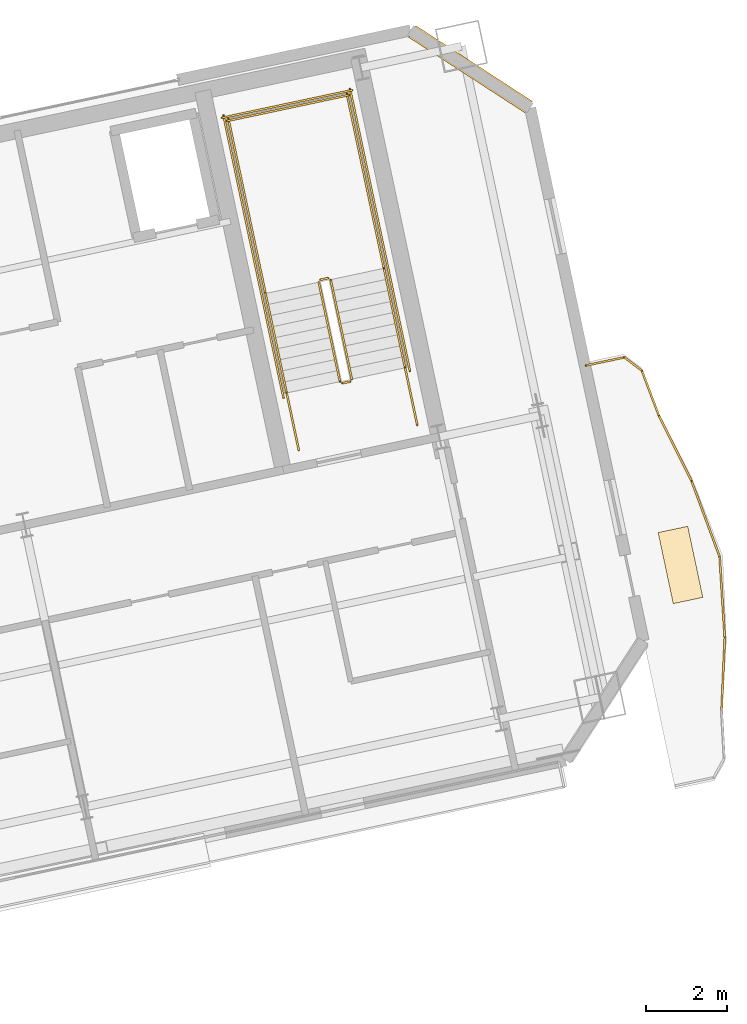
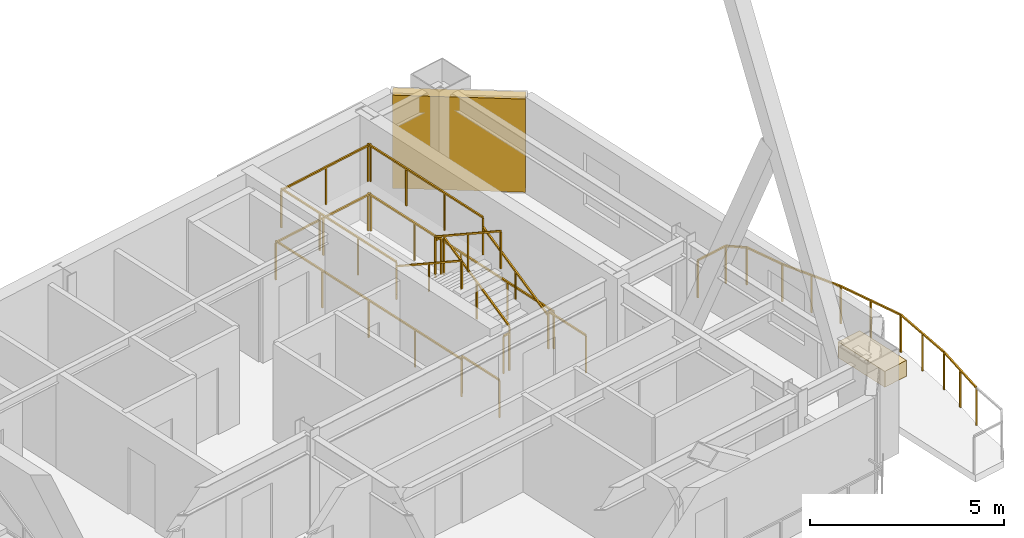
# One storey, part 19 of 19: 21 railings, 1 covering, 1 shading device.
"""IFC4 building model written with IfcOpenShell, lengths in metres."""

from ifc_helpers import new_model, si_unit, direction, frame, origin, origin_2d, place, context, subcontext, project, spatial, rectangle, extrude, material, layer, layer_set, type_object, element, save


model = new_model("IFC4")

# Units and contexts
model_context = context("Model", 3, precision=1e-05, world=origin(), true_north=direction((0.0, 1.0)))
body_context = subcontext(model_context, "Body", "Model", "MODEL_VIEW")
ifc_project = project(units=[si_unit("LENGTHUNIT", "METRE"), si_unit("AREAUNIT", "SQUARE_METRE"), si_unit("VOLUMEUNIT", "CUBIC_METRE"), si_unit("PLANEANGLEUNIT", "RADIAN"), si_unit("MASSUNIT", "GRAM", prefix="KILO")], contexts=[model_context])

# Site, building, storey
site_placement = place(None, origin())
site = spatial("IfcSite", under=ifc_project, at=site_placement, CompositionType="ELEMENT")
building_placement = place(site_placement, origin())
building = spatial("IfcBuilding", under=site, at=building_placement, Name="Haevon Station Towers", CompositionType="ELEMENT")
storey_placement = place(building_placement, frame((0.0, 0.0, 218.699951171875)))
storey = spatial("IfcBuildingStorey", under=building, at=storey_placement, Name="L60", CompositionType="ELEMENT", Elevation=218.699951171875)

# Railings
ifc_material_1 = material(Name="Steel S355", Category="steel")
railing_type_1 = type_object("IfcRailingType", Name="GRD-EXT1200", PredefinedType="GUARDRAIL", material=ifc_material_1)
railing_1_placement = place(storey_placement, frame((126.287841796875, 35.031005859375, 0.0)))
element("IfcRailing", 1, at=railing_1_placement, inside=storey, type_object=railing_type_1, Name="L60 Perimeter Guardrail 4", PredefinedType="GUARDRAIL", context=body_context, shape_type="SweptSolid", body=[
    extrude(rectangle(XDim=0.048095703125, YDim=0.048095703125, at=origin_2d()), frame((0.0, 0.0, 1.17578125), z_axis=(0.044352629621, 0.999015937934, 0.0), x_axis=(-0.999015937934, 0.044352629621, 0.0)), (0.0, 0.0, 1.0), 1.805419921875),
    extrude(rectangle(XDim=0.0419921875, YDim=0.0419921875, at=origin_2d()), origin(), (0.0, 0.0, 1.0), 1.15185546875),
    extrude(rectangle(XDim=0.0419921875, YDim=0.0419921875, at=origin_2d()), frame((0.0400390625, 0.90185546875, 0.0)), (0.0, 0.0, 1.0), 1.15185546875),
    extrude(rectangle(XDim=0.0419921875, YDim=0.0419921875, at=origin_2d()), frame((0.080078125, 1.8037109375, 0.0)), (0.0, 0.0, 1.0), 1.15185546875),
])
railing_2_placement = place(storey_placement, frame((126.367919921875, 36.834716796875, 0.0)))
element("IfcRailing", 2, at=railing_2_placement, inside=storey, type_object=railing_type_1, Name="L60 Perimeter Guardrail 5", PredefinedType="GUARDRAIL", context=body_context, shape_type="SweptSolid", body=[
    extrude(rectangle(XDim=0.048095703125, YDim=0.048095703125, at=origin_2d()), frame((0.0, 0.0, 1.17578125), z_axis=(-0.063329948966, 0.997992644043, 0.0), x_axis=(-0.997992644043, -0.063329948966, 0.0)), (0.0, 0.0, 1.0), 2.012451171875),
    extrude(rectangle(XDim=0.0419921875, YDim=0.0419921875, at=origin_2d()), origin(), (0.0, 0.0, 1.0), 1.15185546875),
    extrude(rectangle(XDim=0.0419921875, YDim=0.0419921875, at=origin_2d()), frame((-0.063720703125, 1.004150390625, 0.0)), (0.0, 0.0, 1.0), 1.15185546875),
    extrude(rectangle(XDim=0.0419921875, YDim=0.0419921875, at=origin_2d()), frame((-0.12744140625, 2.00830078125, 0.0)), (0.0, 0.0, 1.0), 1.15185546875),
])
railing_3_placement = place(storey_placement, frame((126.240478515625, 38.843017578125, 0.0)))
element("IfcRailing", 3, at=railing_3_placement, inside=storey, type_object=railing_type_1, Name="L60 Perimeter Guardrail 6", PredefinedType="GUARDRAIL", context=body_context, shape_type="SweptSolid", body=[
    extrude(rectangle(XDim=0.048095703125, YDim=0.048095703125, at=origin_2d()), frame((0.0, 0.0, 1.17578125), z_axis=(-0.348037281298, 0.937480693576, 0.0), x_axis=(-0.937480693576, -0.348037281298, 0.0)), (0.0, 0.0, 1.0), 2.012451171875),
    extrude(rectangle(XDim=0.0419921875, YDim=0.0419921875, at=origin_2d()), origin(), (0.0, 0.0, 1.0), 1.15185546875),
    extrude(rectangle(XDim=0.0419921875, YDim=0.0419921875, at=origin_2d()), frame((-0.35009765625, 0.943359375, 0.0)), (0.0, 0.0, 1.0), 1.15185546875),
    extrude(rectangle(XDim=0.0419921875, YDim=0.0419921875, at=origin_2d()), frame((-0.700439453125, 1.88671875, 0.0)), (0.0, 0.0, 1.0), 1.15185546875),
])
railing_4_placement = place(storey_placement, frame((125.5400390625, 40.729736328125, 0.0)))
element("IfcRailing", 4, at=railing_4_placement, inside=storey, type_object=railing_type_1, Name="L60 Perimeter Guardrail 7", PredefinedType="GUARDRAIL", context=body_context, shape_type="SweptSolid", body=[
    extrude(rectangle(XDim=0.048095703125, YDim=0.048095703125, at=origin_2d()), frame((0.0, 0.0, 1.17578125), z_axis=(-0.446943110236, 0.894562382516, 0.0), x_axis=(-0.894562382516, -0.446943110236, 0.0)), (0.0, 0.0, 1.0), 1.805419921875),
    extrude(rectangle(XDim=0.0419921875, YDim=0.0419921875, at=origin_2d()), origin(), (0.0, 0.0, 1.0), 1.15185546875),
    extrude(rectangle(XDim=0.0419921875, YDim=0.0419921875, at=origin_2d()), frame((-0.4033203125, 0.8076171875, 0.0)), (0.0, 0.0, 1.0), 1.15185546875),
    extrude(rectangle(XDim=0.0419921875, YDim=0.0419921875, at=origin_2d()), frame((-0.806884765625, 1.614990234375, 0.0)), (0.0, 0.0, 1.0), 1.15185546875),
])
railing_5_placement = place(storey_placement, frame((124.733154296875, 42.3447265625, 0.0)))
element("IfcRailing", 5, at=railing_5_placement, inside=storey, type_object=railing_type_1, Name="L60 Perimeter Guardrail 8", PredefinedType="GUARDRAIL", context=body_context, shape_type="SweptSolid", body=[
    extrude(rectangle(XDim=0.048095703125, YDim=0.048095703125, at=origin_2d()), frame((0.0, 0.0, 1.17578125), z_axis=(-0.354374563569, 0.935103560412, 0.0), x_axis=(-0.935103560412, -0.354374563569, 0.0)), (0.0, 0.0, 1.0), 1.184326171875),
    extrude(rectangle(XDim=0.0419921875, YDim=0.0419921875, at=origin_2d()), origin(), (0.0, 0.0, 1.0), 1.15185546875),
    extrude(rectangle(XDim=0.0419921875, YDim=0.0419921875, at=origin_2d()), frame((-0.419677734375, 1.107421875, 0.0)), (0.0, 0.0, 1.0), 1.15185546875),
])
railing_6_placement = place(storey_placement, frame((124.3134765625, 43.4521484375, 0.0)))
element("IfcRailing", 6, at=railing_6_placement, inside=storey, type_object=railing_type_1, Name="L60 Perimeter Guardrail 9", PredefinedType="GUARDRAIL", context=body_context, shape_type="SweptSolid", body=[
    extrude(rectangle(XDim=0.048095703125, YDim=0.048095703125, at=origin_2d()), frame((0.0, 0.0, 1.17578125), z_axis=(-0.795823981278, 0.605528026456, 0.0), x_axis=(-0.605528026456, -0.795823981278, 0.0)), (0.0, 0.0, 1.0), 0.542724609375),
    extrude(rectangle(XDim=0.0419921875, YDim=0.0419921875, at=origin_2d()), origin(), (0.0, 0.0, 1.0), 1.15185546875),
    extrude(rectangle(XDim=0.0419921875, YDim=0.0419921875, at=origin_2d()), frame((-0.431884765625, 0.32861328125, 0.0)), (0.0, 0.0, 1.0), 1.15185546875),
])
railing_7_placement = place(storey_placement, frame((123.881591796875, 43.78076171875, 0.0)))
element("IfcRailing", 7, at=railing_7_placement, inside=storey, type_object=railing_type_1, Name="L60 Perimeter Guardrail 10", PredefinedType="GUARDRAIL", context=body_context, shape_type="SweptSolid", body=[
    extrude(rectangle(XDim=0.048095703125, YDim=0.048095703125, at=origin_2d()), frame((0.0, 0.0, 1.17578125), z_axis=(-0.978565730841, -0.205934723695, 0.0), x_axis=(0.205934723695, -0.978565730841, 0.0)), (0.0, 0.0, 1.0), 0.974609375),
    extrude(rectangle(XDim=0.0419921875, YDim=0.0419921875, at=origin_2d()), origin(), (0.0, 0.0, 1.0), 1.15185546875),
    extrude(rectangle(XDim=0.0419921875, YDim=0.0419921875, at=origin_2d()), frame((-0.95361328125, -0.20068359375, 0.0)), (0.0, 0.0, 1.0), 1.15185546875),
])
railing_type_2 = type_object("IfcRailingType", Name="GRD-STR1200", PredefinedType="GUARDRAIL", material=ifc_material_1)
railing_8_placement = place(storey_placement, frame((117.128662109375, 43.23974609375, 0.1650390625)))
element("IfcRailing", 8, at=railing_8_placement, inside=storey, type_object=railing_type_2, Name="L60 ST4 Stair Guard 1", PredefinedType="GUARDRAIL", context=body_context, shape_type="SweptSolid", body=[
    extrude(rectangle(XDim=0.048095703125, YDim=0.048095703125, at=origin_2d()), frame((0.0, 0.0, 1.17578125), z_axis=(-0.179121265225, 0.842687928106, 0.507732831485), x_axis=(-0.978147030254, -0.207914374695, 0.0)), (0.0, 0.0, 1.0), 2.925048828125),
    extrude(rectangle(XDim=0.0419921875, YDim=0.0419921875, at=origin_2d()), origin(), (0.0, 0.0, 1.0), 1.15185546875),
    extrude(rectangle(XDim=0.0419921875, YDim=0.0419921875, at=origin_2d()), frame((-0.261962890625, 1.232421875, 0.74267578125)), (0.0, 0.0, 1.0), 1.15185546875),
    extrude(rectangle(XDim=0.0419921875, YDim=0.0419921875, at=origin_2d()), frame((-0.52392578125, 2.46484375, 1.485107421875)), (0.0, 0.0, 1.0), 1.15185546875),
])
railing_9_placement = place(storey_placement, frame((116.54541015625, 45.7431640625, 1.650146484375)))
element("IfcRailing", 9, at=railing_9_placement, inside=storey, type_object=railing_type_2, Name="L60 ST4 Stair Guard 2", PredefinedType="GUARDRAIL", context=body_context, shape_type="SweptSolid", body=[
    extrude(rectangle(XDim=0.048095703125, YDim=0.048095703125, at=origin_2d()), frame((0.0, 0.0, 1.17578125), z_axis=(-0.97826412705, -0.207362720198, 0.0), x_axis=(0.207362720198, -0.97826412705, 0.0)), (0.0, 0.0, 1.0), 0.2001953125),
    extrude(rectangle(XDim=0.0419921875, YDim=0.0419921875, at=origin_2d()), origin(), (0.0, 0.0, 1.0), 1.15185546875),
    extrude(rectangle(XDim=0.0419921875, YDim=0.0419921875, at=origin_2d()), frame((-0.19580078125, -0.04150390625, 0.0)), (0.0, 0.0, 1.0), 1.15185546875),
])
railing_10_placement = place(storey_placement, frame((117.925048828125, 45.9853515625, 1.650146484375)))
element("IfcRailing", 10, at=railing_10_placement, inside=storey, type_object=railing_type_2, Name="L60 ST4 Stair Guard 3", PredefinedType="GUARDRAIL", context=body_context, shape_type="SweptSolid", body=[
    extrude(rectangle(XDim=0.048095703125, YDim=0.048095703125, at=origin_2d()), frame((0.0, 0.0, 1.17578125), z_axis=(-0.207876551949, 0.978155069071, 0.0), x_axis=(-0.978155069071, -0.207876551949, 0.0)), (0.0, 0.0, 1.0), 4.429931640625),
    extrude(rectangle(XDim=0.0419921875, YDim=0.0419921875, at=origin_2d()), origin(), (0.0, 0.0, 1.0), 1.15185546875),
    extrude(rectangle(XDim=0.0419921875, YDim=0.0419921875, at=origin_2d()), frame((-0.306884765625, 1.4443359375, 0.0)), (0.0, 0.0, 1.0), 1.15185546875),
    extrude(rectangle(XDim=0.0419921875, YDim=0.0419921875, at=origin_2d()), frame((-0.614013671875, 2.888916015625, 0.0)), (0.0, 0.0, 1.0), 1.15185546875),
    extrude(rectangle(XDim=0.0419921875, YDim=0.0419921875, at=origin_2d()), frame((-0.9208984375, 4.333251953125, 0.0)), (0.0, 0.0, 1.0), 1.15185546875),
])
railing_11_placement = place(storey_placement, frame((114.99072265625, 45.361572265625, 1.650146484375)))
element("IfcRailing", 11, at=railing_11_placement, inside=storey, type_object=railing_type_2, Name="L60 ST4 Stair Guard 4", PredefinedType="GUARDRAIL", context=body_context, shape_type="SweptSolid", body=[
    extrude(rectangle(XDim=0.048095703125, YDim=0.048095703125, at=origin_2d()), frame((0.0, 0.0, 1.17578125), z_axis=(-0.207929280007, 0.978143861871, 0.0), x_axis=(-0.978143861871, -0.207929280007, 0.0)), (0.0, 0.0, 1.0), 4.43017578125),
    extrude(rectangle(XDim=0.0419921875, YDim=0.0419921875, at=origin_2d()), origin(), (0.0, 0.0, 1.0), 1.15185546875),
    extrude(rectangle(XDim=0.0419921875, YDim=0.0419921875, at=origin_2d()), frame((-0.30712890625, 1.4443359375, 0.0)), (0.0, 0.0, 1.0), 1.15185546875),
    extrude(rectangle(XDim=0.0419921875, YDim=0.0419921875, at=origin_2d()), frame((-0.614013671875, 2.888916015625, 0.0)), (0.0, 0.0, 1.0), 1.15185546875),
    extrude(rectangle(XDim=0.0419921875, YDim=0.0419921875, at=origin_2d()), frame((-0.921142578125, 4.333251953125, 0.0)), (0.0, 0.0, 1.0), 1.15185546875),
])
railing_12_placement = place(storey_placement, frame((117.0634765625, 50.280029296875, 1.650146484375)))
element("IfcRailing", 12, at=railing_12_placement, inside=storey, type_object=railing_type_2, Name="L60 ST4 Stair Guard 5", PredefinedType="GUARDRAIL", context=body_context, shape_type="SweptSolid", body=[
    extrude(rectangle(XDim=0.048095703125, YDim=0.048095703125, at=origin_2d()), frame((0.0, 0.0, 1.17578125), z_axis=(-0.978146839882, -0.207915270313, 0.0), x_axis=(0.207915270313, -0.978146839882, 0.0)), (0.0, 0.0, 1.0), 3.099853515625),
    extrude(rectangle(XDim=0.0419921875, YDim=0.0419921875, at=origin_2d()), origin(), (0.0, 0.0, 1.0), 1.15185546875),
    extrude(rectangle(XDim=0.0419921875, YDim=0.0419921875, at=origin_2d()), frame((-1.51611328125, -0.322265625, 0.0)), (0.0, 0.0, 1.0), 1.15185546875),
    extrude(rectangle(XDim=0.0419921875, YDim=0.0419921875, at=origin_2d()), frame((-3.0322265625, -0.64453125, 0.0)), (0.0, 0.0, 1.0), 1.15185546875),
])
railing_13_placement = place(storey_placement, frame((116.311279296875, 45.642333984375, 1.81494140625)))
element("IfcRailing", 13, at=railing_13_placement, inside=storey, type_object=railing_type_2, Name="L60 ST4 Stair Guard 6", PredefinedType="GUARDRAIL", context=body_context, shape_type="SweptSolid", body=[
    extrude(rectangle(XDim=0.048095703125, YDim=0.048095703125, at=origin_2d()), frame((0.0, 0.0, 1.17578125), z_axis=(0.179108667068, -0.842712120868, 0.50769712105), x_axis=(0.978151217824, 0.207894673017, 0.0)), (0.0, 0.0, 1.0), 2.92529296875),
    extrude(rectangle(XDim=0.0419921875, YDim=0.0419921875, at=origin_2d()), origin(), (0.0, 0.0, 1.0), 1.15185546875),
    extrude(rectangle(XDim=0.0419921875, YDim=0.0419921875, at=origin_2d()), frame((0.261962890625, -1.232421875, 0.74267578125)), (0.0, 0.0, 1.0), 1.15185546875),
    extrude(rectangle(XDim=0.0419921875, YDim=0.0419921875, at=origin_2d()), frame((0.52392578125, -2.465087890625, 1.485107421875)), (0.0, 0.0, 1.0), 1.15185546875),
])
railing_14_placement = place(storey_placement, frame((117.090087890625, 43.180419921875, 0.0)))
element("IfcRailing", 14, at=railing_14_placement, inside=storey, type_object=railing_type_2, Name="L60 ST4 Stair Guard 7", PredefinedType="GUARDRAIL", context=body_context, shape_type="SweptSolid", body=[
    extrude(rectangle(XDim=0.048095703125, YDim=0.048095703125, at=origin_2d()), frame((0.0, 0.0, 1.17578125), z_axis=(-0.978211583308, -0.207610448392, 0.0), x_axis=(0.207610448392, -0.978211583308, 0.0)), (0.0, 0.0, 1.0), 0.199951171875),
    extrude(rectangle(XDim=0.0419921875, YDim=0.0419921875, at=origin_2d()), origin(), (0.0, 0.0, 1.0), 1.15185546875),
    extrude(rectangle(XDim=0.0419921875, YDim=0.0419921875, at=origin_2d()), frame((-0.195556640625, -0.04150390625, 0.0)), (0.0, 0.0, 1.0), 1.15185546875),
])
for number, where, name in (
    (15, (118.75048828125, 42.10205078125, 0.0), "L60 ST4 Stair Guard 8"),
    (16, (115.816162109375, 41.478271484375, 0.0), "L60 ST4 Stair Guard 9"),
):
    element("IfcRailing", number, at=place(storey_placement, frame(where)), inside=storey, type_object=railing_type_2, Name=name, PredefinedType="GUARDRAIL", context=body_context, shape_type="SweptSolid", body=[
        extrude(rectangle(XDim=0.048095703125, YDim=0.048095703125, at=origin_2d()), frame((0.0, 0.0, 1.17578125), z_axis=(-0.207919161079, 0.978146012851, 0.0), x_axis=(-0.978146012851, -0.207919161079, 0.0)), (0.0, 0.0, 1.0), 1.4501953125),
        extrude(rectangle(XDim=0.0419921875, YDim=0.0419921875, at=origin_2d()), origin(), (0.0, 0.0, 1.0), 1.15185546875),
        extrude(rectangle(XDim=0.0419921875, YDim=0.0419921875, at=origin_2d()), frame((-0.301513671875, 1.41845703125, 0.0)), (0.0, 0.0, 1.0), 1.15185546875),
    ])
railing_15_placement = place(storey_placement, frame((118.567626953125, 43.443359375, 0.0)))
element("IfcRailing", 17, at=railing_15_placement, inside=storey, type_object=railing_type_2, Name="L60 ST4 Stair Guard 10", PredefinedType="GUARDRAIL", context=body_context, shape_type="SweptSolid", body=[
    extrude(rectangle(XDim=0.048095703125, YDim=0.048095703125, at=origin_2d()), frame((0.0, 0.0, 1.17578125), z_axis=(-0.207908168386, 0.978148349443, 0.0), x_axis=(-0.978148349443, -0.207908168386, 0.0)), (0.0, 0.0, 1.0), 7.150146484375),
    extrude(rectangle(XDim=0.0419921875, YDim=0.0419921875, at=origin_2d()), origin(), (0.0, 0.0, 1.0), 1.15185546875),
    extrude(rectangle(XDim=0.0419921875, YDim=0.0419921875, at=origin_2d()), frame((-0.37158203125, 1.74853515625, 0.0)), (0.0, 0.0, 1.0), 1.15185546875),
    extrude(rectangle(XDim=0.0419921875, YDim=0.0419921875, at=origin_2d()), frame((-0.7431640625, 3.4970703125, 0.0)), (0.0, 0.0, 1.0), 1.15185546875),
    extrude(rectangle(XDim=0.0419921875, YDim=0.0419921875, at=origin_2d()), frame((-1.114990234375, 5.245361328125, 0.0)), (0.0, 0.0, 1.0), 1.15185546875),
    extrude(rectangle(XDim=0.0419921875, YDim=0.0419921875, at=origin_2d()), frame((-1.486572265625, 6.993896484375, 0.0)), (0.0, 0.0, 1.0), 1.15185546875),
])
railing_16_placement = place(storey_placement, frame((115.4375, 42.778076171875, 0.0)))
element("IfcRailing", 18, at=railing_16_placement, inside=storey, type_object=railing_type_2, Name="L60 ST4 Stair Guard 11", PredefinedType="GUARDRAIL", context=body_context, shape_type="SweptSolid", body=[
    extrude(rectangle(XDim=0.048095703125, YDim=0.048095703125, at=origin_2d()), frame((0.0, 0.0, 1.17578125), z_axis=(-0.207882442208, 0.978153817261, 0.0), x_axis=(-0.978153817261, -0.207882442208, 0.0)), (0.0, 0.0, 1.0), 7.14990234375),
    extrude(rectangle(XDim=0.0419921875, YDim=0.0419921875, at=origin_2d()), origin(), (0.0, 0.0, 1.0), 1.15185546875),
    extrude(rectangle(XDim=0.0419921875, YDim=0.0419921875, at=origin_2d()), frame((-0.37158203125, 1.74853515625, 0.0)), (0.0, 0.0, 1.0), 1.15185546875),
    extrude(rectangle(XDim=0.0419921875, YDim=0.0419921875, at=origin_2d()), frame((-0.7431640625, 3.496826171875, 0.0)), (0.0, 0.0, 1.0), 1.15185546875),
    extrude(rectangle(XDim=0.0419921875, YDim=0.0419921875, at=origin_2d()), frame((-1.11474609375, 5.2451171875, 0.0)), (0.0, 0.0, 1.0), 1.15185546875),
    extrude(rectangle(XDim=0.0419921875, YDim=0.0419921875, at=origin_2d()), frame((-1.486328125, 6.99365234375, 0.0)), (0.0, 0.0, 1.0), 1.15185546875),
])
railing_17_placement = place(storey_placement, frame((117.140380859375, 50.398681640625, 0.0)))
element("IfcRailing", 19, at=railing_17_placement, inside=storey, type_object=railing_type_2, Name="L60 ST4 Stair Guard 12", PredefinedType="GUARDRAIL", context=body_context, shape_type="SweptSolid", body=[
    extrude(rectangle(XDim=0.048095703125, YDim=0.048095703125, at=origin_2d()), frame((0.0, 0.0, 1.17578125), z_axis=(-0.978135717418, -0.207967589567, 0.0), x_axis=(0.207967589567, -0.978135717418, 0.0)), (0.0, 0.0, 1.0), 3.300048828125),
    extrude(rectangle(XDim=0.0419921875, YDim=0.0419921875, at=origin_2d()), origin(), (0.0, 0.0, 1.0), 1.15185546875),
    extrude(rectangle(XDim=0.0419921875, YDim=0.0419921875, at=origin_2d()), frame((-1.61376953125, -0.34326171875, 0.0)), (0.0, 0.0, 1.0), 1.15185546875),
    extrude(rectangle(XDim=0.0419921875, YDim=0.0419921875, at=origin_2d()), frame((-3.227783203125, -0.686279296875, 0.0)), (0.0, 0.0, 1.0), 1.15185546875),
])
railing_type_3 = type_object("IfcRailingType", Name="HND-STR900", PredefinedType="HANDRAIL", material=ifc_material_1)
railing_18_placement = place(storey_placement, frame((118.448974609375, 43.5205078125, 0.1650390625)))
element("IfcRailing", 20, at=railing_18_placement, inside=storey, type_object=railing_type_3, Name="L60 ST4 Stair Handrail 1", PredefinedType="HANDRAIL", context=body_context, shape_type="SweptSolid", body=[
    extrude(rectangle(XDim=0.048095703125, YDim=0.048095703125, at=origin_2d()), frame((0.0, 0.0, 0.8759765625), z_axis=(-0.179121265225, 0.842687928106, 0.507732831485), x_axis=(-0.978147030254, -0.207914374695, 0.0)), (0.0, 0.0, 1.0), 2.925048828125),
    extrude(rectangle(XDim=0.0419921875, YDim=0.0419921875, at=origin_2d()), origin(), (0.0, 0.0, 1.0), 0.851806640625),
    extrude(rectangle(XDim=0.0419921875, YDim=0.0419921875, at=origin_2d()), frame((-0.261962890625, 1.232421875, 0.74267578125)), (0.0, 0.0, 1.0), 0.851806640625),
    extrude(rectangle(XDim=0.0419921875, YDim=0.0419921875, at=origin_2d()), frame((-0.52392578125, 2.46484375, 1.485107421875)), (0.0, 0.0, 1.0), 0.851806640625),
])
railing_19_placement = place(storey_placement, frame((114.99072265625, 45.361572265625, 1.81494140625)))
element("IfcRailing", 21, at=railing_19_placement, inside=storey, type_object=railing_type_3, Name="L60 ST4 Stair Handrail 2", PredefinedType="HANDRAIL", context=body_context, shape_type="SweptSolid", body=[
    extrude(rectangle(XDim=0.048095703125, YDim=0.048095703125, at=origin_2d()), frame((0.0, 0.0, 0.8759765625), z_axis=(0.179121265225, -0.842687928106, 0.507732831485), x_axis=(0.978147030254, 0.207914374695, 0.0)), (0.0, 0.0, 1.0), 2.925048828125),
    extrude(rectangle(XDim=0.0419921875, YDim=0.0419921875, at=origin_2d()), origin(), (0.0, 0.0, 1.0), 0.851806640625),
    extrude(rectangle(XDim=0.0419921875, YDim=0.0419921875, at=origin_2d()), frame((0.261962890625, -1.232421875, 0.74267578125)), (0.0, 0.0, 1.0), 0.851806640625),
    extrude(rectangle(XDim=0.0419921875, YDim=0.0419921875, at=origin_2d()), frame((0.52392578125, -2.46484375, 1.485107421875)), (0.0, 0.0, 1.0), 0.851806640625),
])

# Covering
ifc_material_2 = material(Name="Architectural planter GRC", Category="concrete")
ifc_layer_1 = layer(ifc_material_2, 0.550048828125)
ifc_layer_set_1 = layer_set([ifc_layer_1], Name="Architectural planter GRC")
covering_type = type_object("IfcCoveringType", Name="PLN-GRC550", PredefinedType="MOLDING", material=ifc_layer_set_1)
covering_placement = place(storey_placement, frame((125.27099609375, 38.636962890625, 0.0), z_axis=(0.0, 0.0, 1.0), x_axis=(0.978147600734, 0.207911690818, 0.0)))
element("IfcCovering", 22, at=covering_placement, inside=storey, type_object=covering_type, Name="Tower 2 L60 Scalloped Balcony PLANTER", PredefinedType="MOLDING", context=body_context, shape_type="SweptSolid", body=[
    extrude(rectangle(XDim=0.75, YDim=1.800048828125, at=origin_2d()), origin(), (0.0, 0.0, 1.0), 0.5),
])

# Shading device
ifc_material_3 = material(Name="Anodised aluminium 6063-T6", Category="aluminium")
ifc_layer_2 = layer(ifc_material_3, 0.139892578125)
ifc_layer_set_2 = layer_set([ifc_layer_2], Name="Anodised aluminium 6063-T6")
shading_device_type = type_object("IfcShadingDeviceType", Name="SHD-WIND-BAFFLE", PredefinedType="SHUTTER", material=ifc_layer_set_2)
shading_device_placement = place(storey_placement, frame((120.06640625, 50.918212890625, 0.05029296875), z_axis=(0.0, 0.0, 1.0), x_axis=(0.838670519647, -0.544639109388, 0.0)))
element("IfcShadingDevice", 23, at=shading_device_placement, inside=storey, type_object=shading_device_type, Name="Tower 2 L60 Wind-Corner Aerofoil Baffle NEC", PredefinedType="SHUTTER", context=body_context, shape_type="SweptSolid", body=[
    extrude(rectangle(XDim=3.435546875, YDim=0.340087890625, at=origin_2d()), origin(), (0.0, 0.0, 1.0), 2.929931640625),
])

save(model, "model.ifc")
